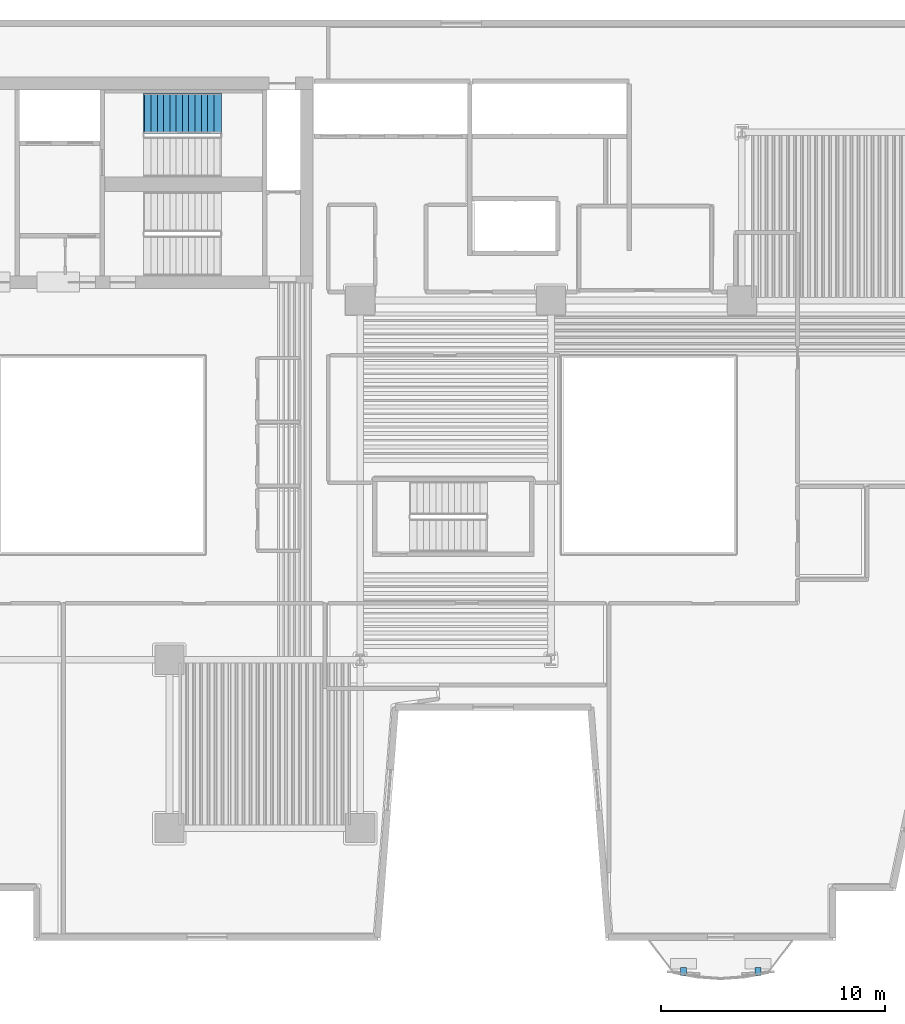
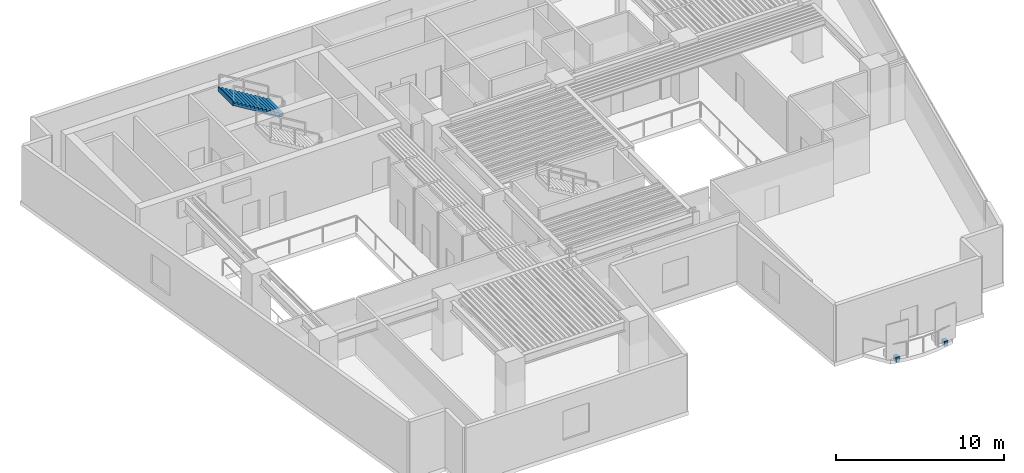
# One storey, part 7 of 12: 2 discrete accessories, 1 stair flight, 1 element without a shape of its own.
"""IFC4 building model written with IfcOpenShell, lengths in metres."""

from ifc_helpers import new_model, si_unit, direction, frame, origin, origin_2d, place, context, subcontext, project, spatial, polyline, rectangle, outline, extrude, material, type_object, element, aggregate, save


model = new_model("IFC4")

# Units and contexts
model_context = context("Model", 3, precision=1e-05, world=origin(), true_north=direction((0.0, 1.0)))
body_context = subcontext(model_context, "Body", "Model", "MODEL_VIEW")
ifc_project = project(units=[si_unit("LENGTHUNIT", "METRE"), si_unit("AREAUNIT", "SQUARE_METRE"), si_unit("VOLUMEUNIT", "CUBIC_METRE"), si_unit("PLANEANGLEUNIT", "RADIAN"), si_unit("MASSUNIT", "GRAM", prefix="KILO")], contexts=[model_context])

# Site, building, storey
site_placement = place(None, origin())
site = spatial("IfcSite", under=ifc_project, at=site_placement, CompositionType="ELEMENT")
building_placement = place(site_placement, origin())
building = spatial("IfcBuilding", under=site, at=building_placement, Name="Caeloran Harvest Quay", CompositionType="ELEMENT")
storey_placement = place(building_placement, frame((0.0, 0.0, 93.0)))
storey = spatial("IfcBuildingStorey", under=building, at=storey_placement, Name="L21", CompositionType="ELEMENT", Elevation=93.0)

# Stair, stair flight
ifc_material_1 = material(Name="Concrete C50/60", Category="concrete")
stair_type = type_object("IfcStairType", Name="STAIR-STC-180", PredefinedType="HALF_TURN_STAIR", material=ifc_material_1)
stair_placement = place(storey_placement, origin())
stair = element("IfcStair", 1, at=stair_placement, inside=storey, type_object=stair_type, Name="L21 Core Pressurized Exit Stair ST-C1", PredefinedType="HALF_TURN_STAIR")
stair_flight_type = type_object("IfcStairFlightType", Name="FLIGHT-STC-180", PredefinedType="STRAIGHT", material=ifc_material_1)
stair_flight_placement = place(storey_placement, frame((19.260009765625, 39.35009765625, 2.199951171875), z_axis=(0.0, 0.0, 1.0), x_axis=(-1.0, 0.0, 0.0)))
stair_flight = element("IfcStairFlight", 2, at=stair_flight_placement, type_object=stair_flight_type, Name="ST-C1 flight 2", NumberOfRisers=13, NumberOfTreads=12, PredefinedType="STRAIGHT", RiserHeight=0.169230769, TreadLength=0.28, context=body_context, shape_type="SweptSolid", body=[
    extrude(outline(polyline([(-0.054931640625, -0.044921875), (-0.054931640625, -0.031494140625), (-0.054931640625, -0.018310546875), (-0.054931640625, -0.0048828125), (-0.054931640625, 0.008544921875), (-0.054931640625, 0.02197265625), (-0.054931640625, 0.035400390625), (-0.054931640625, 0.048828125), (-0.054931640625, 0.06201171875), (-0.054931640625, 0.075439453125), (-0.054931640625, 0.0888671875), (-0.054931640625, 0.102294921875), (-0.054931640625, 0.11572265625), (-0.054931640625, 0.129150390625), (-0.054931640625, 0.142333984375), (-0.054931640625, 0.15576171875), (-0.054931640625, 0.169189453125), (0.280029296875, 0.169189453125), (0.280029296875, 0.33837890625), (0.56005859375, 0.33837890625), (0.56005859375, 0.5078125), (0.840087890625, 0.5078125), (0.840087890625, 0.677001953125), (1.1201171875, 0.677001953125), (1.1201171875, 0.84619140625), (1.39990234375, 0.84619140625), (1.39990234375, 1.015380859375), (1.679931640625, 1.015380859375), (1.679931640625, 1.1845703125), (1.9599609375, 1.1845703125), (1.9599609375, 1.353759765625), (2.239990234375, 1.353759765625), (2.239990234375, 1.523193359375), (2.52001953125, 1.523193359375), (2.52001953125, 1.6923828125), (2.800048828125, 1.6923828125), (2.800048828125, 1.861572265625), (3.080078125, 1.861572265625), (3.080078125, 2.03076171875), (3.360107421875, 2.03076171875), (3.360107421875, 2.199951171875), (3.4150390625, 2.199951171875), (3.4150390625, 2.178466796875), (3.4150390625, 2.156982421875), (3.4150390625, 2.135498046875), (3.4150390625, 2.114013671875), (3.4150390625, 2.09228515625), (3.4150390625, 2.07080078125), (3.4150390625, 2.04931640625), (3.4150390625, 2.02783203125), (3.4150390625, 2.00634765625), (3.4150390625, 1.98486328125), (3.4150390625, 1.963134765625), (3.4150390625, 1.941650390625), (3.4150390625, 1.920166015625), (3.4150390625, 1.898681640625), (3.4150390625, 1.877197265625), (3.4150390625, 1.855712890625), (3.360107421875, 1.855712890625), (0.21533203125, -0.044921875), (-0.054931640625, -0.044921875)])), frame((0.0, 0.89990234375, 0.0), z_axis=(0.0, -1.0, 0.0), x_axis=(1.0, 0.0, 0.0)), (0.0, 0.0, 1.0), 1.800048828125),
])
aggregate(stair, [stair_flight])

# Discrete accessories
ifc_material_2 = material(Name="Stainless Steel Grade 316L", Category="steel")
discrete_accessory_type = type_object("IfcDiscreteAccessoryType", Name="BRACKET-SCREEN-SS", PredefinedType="BRACKET", material=ifc_material_2)
for number, where, z_axis, x_axis, name in (
    (3, (43.218505859375, 1.116455078125, -0.22021484375), (0.0, 0.0, 1.0), (1.0, 0.0, 0.0), "L21 Balcony Screen Support Bracket 1"),
    (4, (39.8984375, 1.116455078125, -0.22021484375), (0.0, 0.0, 1.0), (1.0, 0.0, 0.0), "L21 Balcony Screen Support Bracket 2"),
):
    element("IfcDiscreteAccessory", number, at=place(storey_placement, frame(where, z_axis=z_axis, x_axis=x_axis)), inside=storey, type_object=discrete_accessory_type, Name=name, PredefinedType="BRACKET", context=body_context, shape_type="SweptSolid", body=[
        extrude(rectangle(XDim=0.260009765625, YDim=0.340087890625, at=origin_2d()), origin(), (0.0, 0.0, 1.0), 0.360107421875),
    ])

save(model, "model.ifc")
